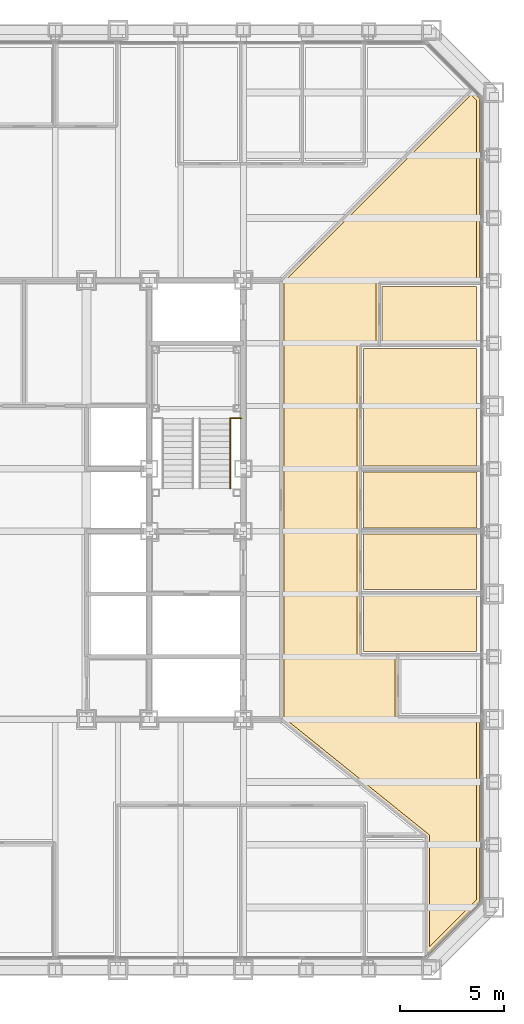
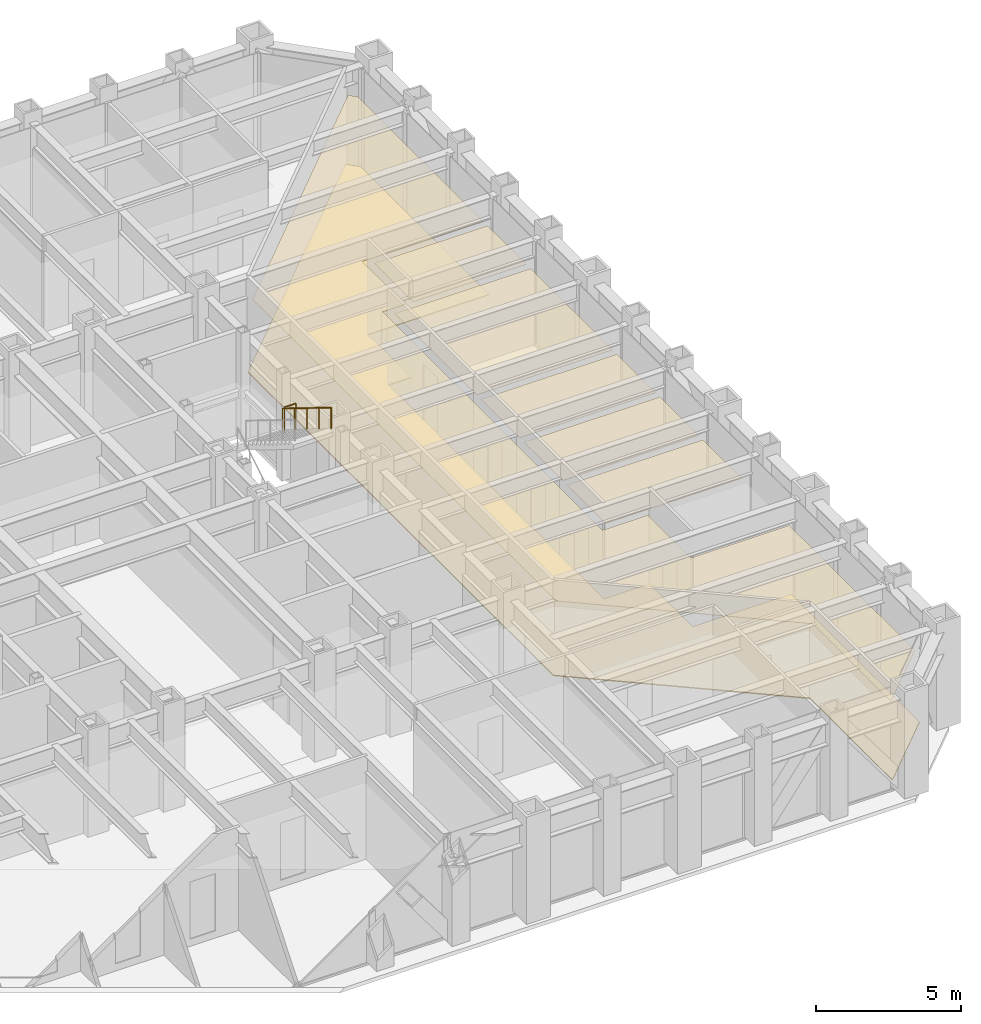
# One storey, part 16 of 17: 7 coverings, 2 railings.
"""IFC4 building model written with IfcOpenShell, lengths in metres."""

from ifc_helpers import new_model, si_unit, direction, frame, origin, origin_2d, place, context, subcontext, project, spatial, polyline, circle, outline, extrude, material, layer, layer_set, type_object, element, save


model = new_model("IFC4")

# Units and contexts
model_context = context("Model", 3, precision=1e-05, world=origin(), true_north=direction((0.0, 1.0)))
body_context = subcontext(model_context, "Body", "Model", "MODEL_VIEW")
ifc_project = project(units=[si_unit("LENGTHUNIT", "METRE"), si_unit("AREAUNIT", "SQUARE_METRE"), si_unit("VOLUMEUNIT", "CUBIC_METRE"), si_unit("PLANEANGLEUNIT", "RADIAN"), si_unit("MASSUNIT", "GRAM", prefix="KILO")], contexts=[model_context])

# Site, building, storey
site_placement = place(None, origin())
site = spatial("IfcSite", under=ifc_project, at=site_placement, CompositionType="ELEMENT")
building_placement = place(site_placement, origin())
building = spatial("IfcBuilding", under=site, at=building_placement, Name="Chuquiago Exchange Tower", CompositionType="ELEMENT")
storey_placement = place(building_placement, frame((0.0, 0.0, 37.800048828125)))
storey = spatial("IfcBuildingStorey", under=building, at=storey_placement, Name="L07", CompositionType="ELEMENT", Elevation=37.800048828125)

# Coverings
ifc_material_1 = material(Name="Mineral fibre tile, 600 x 600, on pale metal grid", Category="mineral fibre")
ifc_layer_1 = layer(ifc_material_1, 0.02001953125)
ifc_layer_set_1 = layer_set([ifc_layer_1], Name="CL1 suspended tile ceiling 20")
covering_type_1 = type_object("IfcCoveringType", Name="CL1 suspended tile ceiling 20", PredefinedType="CEILING", material=ifc_layer_set_1)
covering_1_placement = place(storey_placement, frame((0.0, 0.0, 3.0)))
element("IfcCovering", 1, at=covering_1_placement, inside=storey, type_object=covering_type_1, Name="Ceiling Trading support room", PredefinedType="CEILING", context=body_context, shape_type="SweptSolid", body=[
    extrude(outline(polyline([(38.75, 15.24560546875), (38.75, 17.907470703125), (44.14990234375, 17.907470703125), (44.14990234375, 15.24560546875), (38.75, 15.24560546875)])), origin(), (0.0, 0.0, 1.0), 0.02001953125),
])
covering_2_placement = place(storey_placement, frame((0.0, 0.0, 3.0)))
element("IfcCovering", 2, at=covering_2_placement, inside=storey, type_object=covering_type_1, Name="Ceiling Trading support room", PredefinedType="CEILING", context=body_context, shape_type="SweptSolid", body=[
    extrude(outline(polyline([(38.75, 18.20751953125), (38.75, 20.869140625), (44.14990234375, 20.869140625), (44.14990234375, 18.20751953125), (38.75, 18.20751953125)])), origin(), (0.0, 0.0, 1.0), 0.02001953125),
])
covering_3_placement = place(storey_placement, frame((0.0, 0.0, 3.0)))
element("IfcCovering", 3, at=covering_3_placement, inside=storey, type_object=covering_type_1, Name="Ceiling Trading support room", PredefinedType="CEILING", context=body_context, shape_type="SweptSolid", body=[
    extrude(outline(polyline([(38.75, 21.169189453125), (38.75, 23.830810546875), (44.14990234375, 23.830810546875), (44.14990234375, 21.169189453125), (38.75, 21.169189453125)])), origin(), (0.0, 0.0, 1.0), 0.02001953125),
])
covering_4_placement = place(storey_placement, frame((0.0, 0.0, 3.0)))
element("IfcCovering", 4, at=covering_4_placement, inside=storey, type_object=covering_type_1, Name="Ceiling Meeting room", PredefinedType="CEILING", context=body_context, shape_type="SweptSolid", body=[
    extrude(outline(polyline([(38.75, 24.130859375), (38.75, 29.75439453125), (44.14990234375, 29.75439453125), (44.14990234375, 24.130859375), (38.75, 24.130859375)])), origin(), (0.0, 0.0, 1.0), 0.02001953125),
])
covering_5_placement = place(storey_placement, frame((0.0, 0.0, 3.0)))
element("IfcCovering", 5, at=covering_5_placement, inside=storey, type_object=covering_type_1, Name="Ceiling Comms room", PredefinedType="CEILING", context=body_context, shape_type="SweptSolid", body=[
    extrude(outline(polyline([(39.64990234375, 30.054443359375), (39.64990234375, 32.71630859375), (44.14990234375, 32.71630859375), (44.14990234375, 30.054443359375), (39.64990234375, 30.054443359375)])), origin(), (0.0, 0.0, 1.0), 0.02001953125),
])
covering_6_placement = place(storey_placement, frame((0.0, 0.0, 3.0)))
element("IfcCovering", 6, at=covering_6_placement, inside=storey, type_object=covering_type_1, Name="Ceiling Trading floor east", PredefinedType="CEILING", context=body_context, shape_type="SweptSolid", body=[
    extrude(outline(polyline([(44.14990234375, 33.01611328125), (39.35009765625, 33.01611328125), (39.35009765625, 30.054443359375), (38.449951171875, 30.054443359375), (38.449951171875, 14.945556640625), (40.25, 14.945556640625), (40.25, 11.98388671875), (44.14990234375, 11.98388671875), (44.14990234375, 3.35205078125), (41.901611328125, 1.103515625), (41.90185546875, 6.47216796875), (34.949951171875, 12.072265625), (34.949951171875, 32.9375), (43.905517578125, 41.892578125), (44.14990234375, 41.64794921875), (44.14990234375, 33.01611328125)])), origin(), (0.0, 0.0, 1.0), 0.02001953125),
])

# Railings
ifc_material_2 = material(Name="Pale metal guard with safety glass infill", Category="glass")
railing_type_1 = type_object("IfcRailingType", Name="GR1 guard 1100", PredefinedType="GUARDRAIL", material=ifc_material_2)
railing_1_placement = place(storey_placement, frame((32.445068359375, 26.409912109375, 2.25)))
element("IfcRailing", 7, at=railing_1_placement, inside=storey, type_object=railing_type_1, Name="Guard ST2 L07 landing 2", PredefinedType="GUARDRAIL", context=body_context, shape_type="SweptSolid", body=[
    extrude(circle(Radius=0.02392578125, at=origin_2d()), frame((0.0, 0.0, 1.076171875), z_axis=(1.0, 0.0, 0.0), x_axis=(0.0, 1.0, 0.0)), (0.0, 0.0, 1.0), 0.454833984375),
    extrude(circle(Radius=0.02099609375, at=origin_2d()), origin(), (0.0, 0.0, 1.0), 1.052001953125),
    extrude(circle(Radius=0.02099609375, at=origin_2d()), frame((0.454833984375, 0.0, 0.0)), (0.0, 0.0, 1.0), 1.052001953125),
])
ifc_material_3 = material(Name="Pale metal handrail", Category="steel")
railing_type_2 = type_object("IfcRailingType", Name="HR1 handrail 900", PredefinedType="HANDRAIL", material=ifc_material_3)
railing_2_placement = place(storey_placement, frame((32.364990234375, 26.409912109375, 2.423095703125)))
element("IfcRailing", 8, at=railing_2_placement, inside=storey, type_object=railing_type_2, Name="Handrail ST2 L07 flight 2", PredefinedType="HANDRAIL", context=body_context, shape_type="SweptSolid", body=[
    extrude(circle(Radius=0.02392578125, at=origin_2d()), frame((0.0, 0.0, 0.8759765625), z_axis=(0.0, -0.850606129759, 0.525803396734), x_axis=(1.0, 0.0, 0.0)), (0.0, 0.0, 1.0), 3.949951171875),
    extrude(circle(Radius=0.02099609375, at=origin_2d()), origin(), (0.0, 0.0, 1.0), 0.851806640625),
    extrude(circle(Radius=0.02099609375, at=origin_2d()), frame((0.0, -0.83984375, 0.519287109375)), (0.0, 0.0, 1.0), 0.851806640625),
    extrude(circle(Radius=0.02099609375, at=origin_2d()), frame((0.0, -1.679931640625, 1.03857421875)), (0.0, 0.0, 1.0), 0.851806640625),
    extrude(circle(Radius=0.02099609375, at=origin_2d()), frame((0.0, -2.52001953125, 1.5576171875)), (0.0, 0.0, 1.0), 0.851806640625),
    extrude(circle(Radius=0.02099609375, at=origin_2d()), frame((0.0, -3.35986328125, 2.076904296875)), (0.0, 0.0, 1.0), 0.851806640625),
])

# Covering
ifc_material_4 = material(Name="Steel raised floor panel", Category="steel")
ifc_layer_2 = layer(ifc_material_4, 0.0400390625)
ifc_layer_set_2 = layer_set([ifc_layer_2], Name="RF1 raised access floor 40")
covering_type_2 = type_object("IfcCoveringType", Name="RF1 raised access floor 40", PredefinedType="FLOORING", material=ifc_layer_set_2)
covering_7_placement = place(storey_placement, frame((0.0, 0.0, -0.0400390625)))
element("IfcCovering", 9, at=covering_7_placement, inside=storey, type_object=covering_type_2, Name="Raised access floor Trading floor east", PredefinedType="FLOORING", context=body_context, shape_type="SweptSolid", body=[
    extrude(outline(polyline([(44.300048828125, 41.710205078125), (44.300048828125, 32.8662109375), (39.5, 32.8662109375), (39.5, 29.904296875), (38.60009765625, 29.904296875), (38.60009765625, 15.095703125), (40.39990234375, 15.095703125), (40.39990234375, 12.1337890625), (44.300048828125, 12.1337890625), (44.300048828125, 3.289794921875), (41.75146484375, 0.741455078125), (41.751953125, 6.400390625), (34.800048828125, 12.00048828125), (34.800048828125, 32.99951171875), (43.905517578125, 42.104736328125), (44.300048828125, 41.710205078125)])), origin(), (0.0, 0.0, 1.0), 0.0400390625),
])

save(model, "model.ifc")
